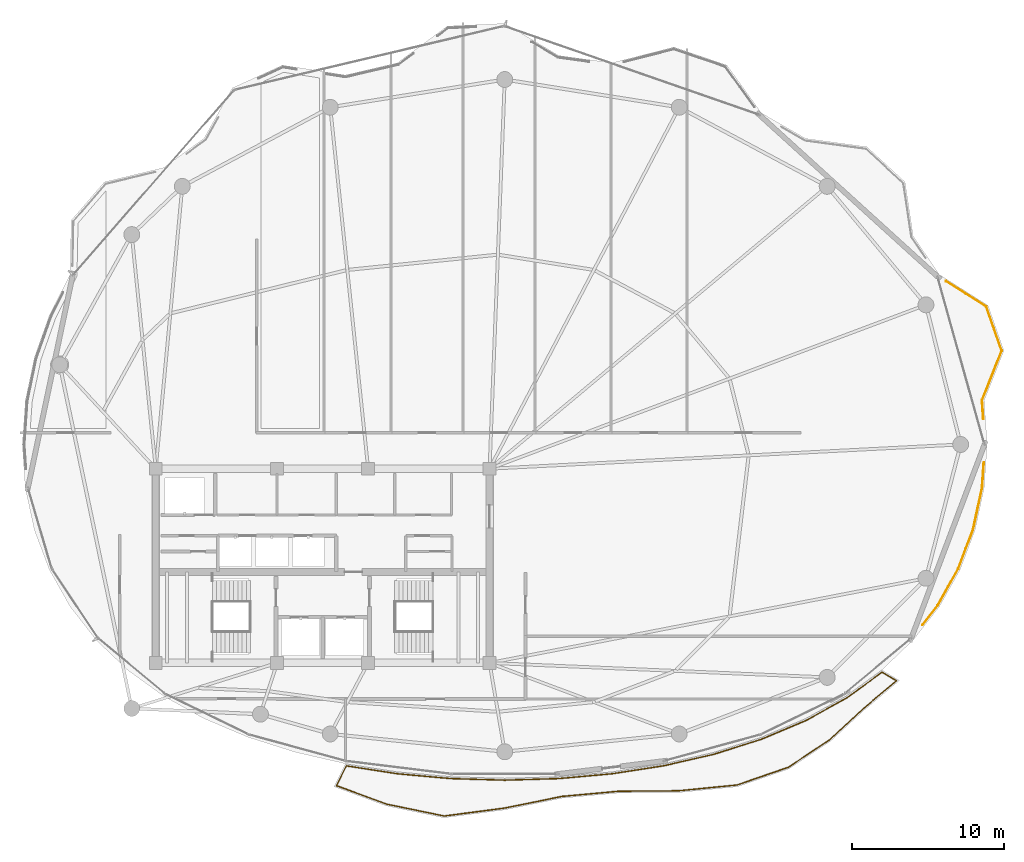
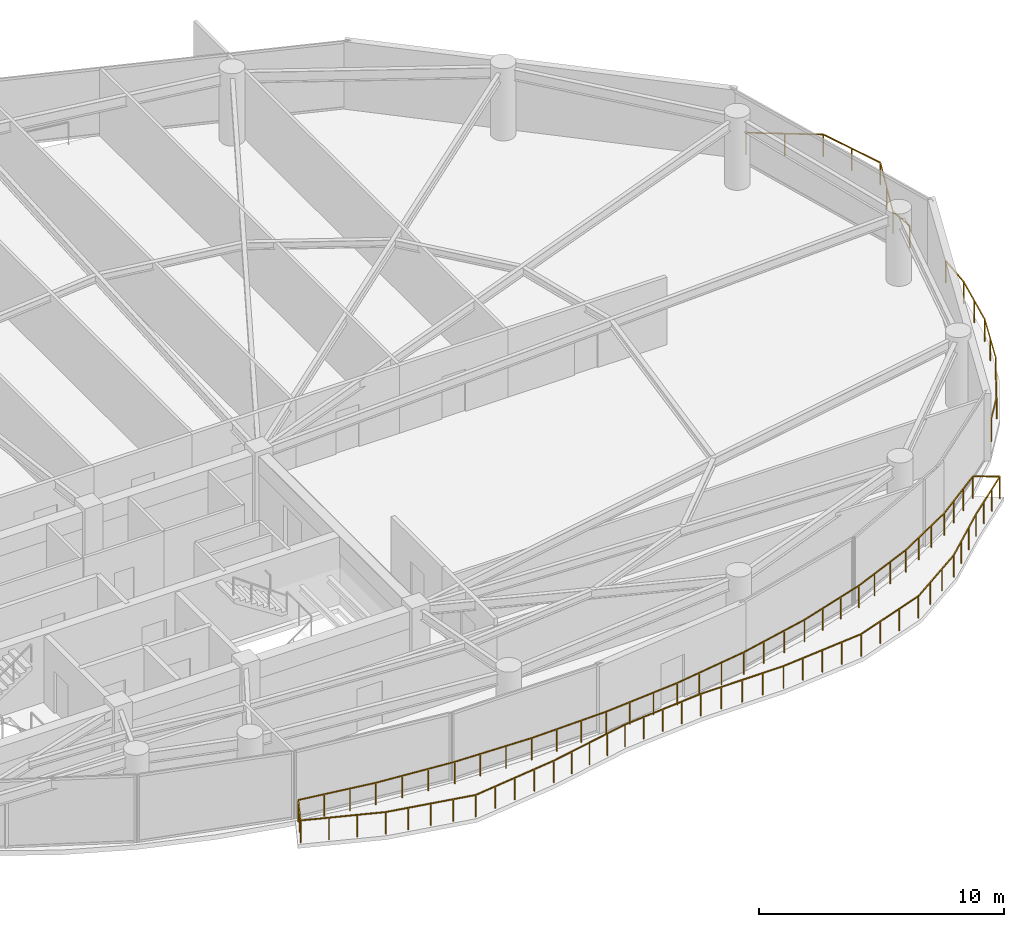
# One storey, part 27 of 28: 3 railings.
"""IFC4 building model written with IfcOpenShell, lengths in metres."""

import ifcopenshell
import ifcopenshell.guid

model = None  # the IFC model being written
_history = None  # IfcOwnerHistory: only IFC2X3 demands one
_inside = {}  # id of a spatial element -> (the spatial element, [elements in it])
_under = {}  # id of a project, library or spatial element -> (it, [spatial elements below it])
_declared = {}  # id of a project -> (the project, [libraries it declares])
_typed = {}  # id of a type object -> (the type object, [elements of that type])
_made_of = {}  # id of a material, layer set ... -> (it, [elements and type objects made of it])


def new_model(schema):
    """Start an empty IFC model of exactly this schema.

    Asked for "IFC4X3", IfcOpenShell would pick the latest addendum, in which some entities
    have other attributes; the version numbers below select the first issue.
    IFC2X3 requires an IfcOwnerHistory on every rooted entity: one is made here for all.
    """
    global model, _history
    if schema == "IFC4X3":
        model = ifcopenshell.file(schema_version=(4, 3, 0, 0))
    else:
        model = ifcopenshell.file(schema=schema)
    _inside.clear()
    _under.clear()
    _declared.clear()
    _typed.clear()
    _made_of.clear()
    _history = None
    if model.schema == "IFC2X3":
        org = make("IfcOrganization", Name="unknown")
        user = make(
            "IfcPersonAndOrganization",
            ThePerson=make("IfcPerson", FamilyName="unknown"),
            TheOrganization=org,
        )
        app = make(
            "IfcApplication",
            ApplicationDeveloper=org,
            Version="unknown",
            ApplicationFullName="unknown",
            ApplicationIdentifier="unknown",
        )
        _history = make(
            "IfcOwnerHistory",
            OwningUser=user,
            OwningApplication=app,
            ChangeAction="ADDED",
            CreationDate=0,
        )
    return model


def make(cls, **values):
    """One entity of the class cls with the attributes given. An attribute that is None is left unset."""
    return model.create_entity(
        cls, **{name: value for name, value in values.items() if value is not None}
    )


def rooted(cls, **values):
    """An entity with a GlobalId (a new one), such as an element, a storey or a relation."""
    return make(cls, GlobalId=ifcopenshell.guid.new(), OwnerHistory=_history, **values)


def si_unit(unit_type, name, prefix=None):
    """IfcSIUnit, for example si_unit("LENGTHUNIT", "METRE", prefix="MILLI")."""
    return make("IfcSIUnit", UnitType=unit_type, Prefix=prefix, Name=name)


def assignment(units):
    """IfcUnitAssignment: the units of a project."""
    return None if units is None else make("IfcUnitAssignment", Units=units)


def point(xyz):
    """IfcCartesianPoint."""
    return None if xyz is None else make("IfcCartesianPoint", Coordinates=xyz)


def direction(xyz):
    """IfcDirection."""
    return None if xyz is None else make("IfcDirection", DirectionRatios=xyz)


def frame(location, z_axis=None, x_axis=None):
    """IfcAxis2Placement3D, a coordinate frame: its origin and axes. An axis left out is left unset."""
    return make(
        "IfcAxis2Placement3D",
        Location=point(location),
        Axis=direction(z_axis),
        RefDirection=direction(x_axis),
    )


def frame_2d(location, x_axis=None):
    """IfcAxis2Placement2D, a coordinate frame in the plane: its origin and x axis."""
    return make(
        "IfcAxis2Placement2D", Location=point(location), RefDirection=direction(x_axis)
    )


def origin():
    """The frame at (0, 0, 0) with its axes left unset."""
    return frame((0.0, 0.0, 0.0))


def origin_2d():
    """The frame at (0, 0) in the plane with its x axis left unset."""
    return frame_2d((0.0, 0.0))


def place(relative_to, where):
    """IfcLocalPlacement: puts the frame where relative to a parent placement (None: the world)."""
    return make(
        "IfcLocalPlacement", PlacementRelTo=relative_to, RelativePlacement=where
    )


def context(
    kind, dimensions, precision=None, world=None, true_north=None, identifier=None
):
    """IfcGeometricRepresentationContext, for example the 3D "Model" context."""
    return make(
        "IfcGeometricRepresentationContext",
        ContextIdentifier=identifier,
        ContextType=kind,
        CoordinateSpaceDimension=dimensions,
        Precision=precision,
        WorldCoordinateSystem=world,
        TrueNorth=true_north,
    )


def subcontext(parent, identifier, kind, view, scale=None):
    """IfcGeometricRepresentationSubContext, for example "Body" below "Model"."""
    return make(
        "IfcGeometricRepresentationSubContext",
        ContextIdentifier=identifier,
        ContextType=kind,
        ParentContext=parent,
        TargetScale=scale,
        TargetView=view,
    )


def project(units=None, contexts=None):
    """IfcProject with its units and contexts."""
    return rooted(
        "IfcProject",
        Name="project",
        RepresentationContexts=contexts,
        UnitsInContext=assignment(units),
    )


def spatial(cls, under=None, at=None, **own):
    """A site, building, storey or space (cls), placed at a placement, below another one or the project."""
    s = rooted(cls, ObjectPlacement=at, **own)
    if under is not None:
        _under.setdefault(under.id(), (under, []))[1].append(s)
    return s


def profile(cls, at=None, kind="AREA", **sizes):
    """A parametric profile (cls). Its sizes go by their IFC names, for example OverallWidth=200.0."""
    return make(cls, ProfileType=kind, Position=at, **sizes)


def rectangle(**sizes):
    """IfcRectangleProfileDef."""
    return profile("IfcRectangleProfileDef", **sizes)


def extrude(swept, where, along, depth):
    """IfcExtrudedAreaSolid: the profile swept, set in the frame where, extruded along a direction by depth."""
    return make(
        "IfcExtrudedAreaSolid",
        SweptArea=swept,
        Position=where,
        ExtrudedDirection=direction(along),
        Depth=depth,
    )


def shape(context_of_items, identifier, shape_type, items):
    """IfcShapeRepresentation: the items that make up one representation, for example the "Body"."""
    return make(
        "IfcShapeRepresentation",
        ContextOfItems=context_of_items,
        RepresentationIdentifier=identifier,
        RepresentationType=shape_type,
        Items=items,
    )


def material(Name=None, Category=None):
    """IfcMaterial."""
    return make("IfcMaterial", Name=Name, Category=Category)


def made_of(thing, what):
    """Note that an element or type object is made of a material, layer set ...; save() writes the relation."""
    if what is not None:
        _made_of.setdefault(what.id(), (what, []))[1].append(thing)
    return thing


def type_object(cls, material=None, **own):
    """A type object (cls), such as IfcWallType, which elements share."""
    return made_of(rooted(cls, **own), material)


def element(
    cls,
    number,
    at=None,
    inside=None,
    cuts=None,
    type_object=None,
    material=None,
    context=None,
    identifier="Body",
    shape_type=None,
    held_by="IfcProductDefinitionShape",
    body=None,
    shapes=None,
    **own,
):
    """One element of the class cls, such as IfcWall. Its Tag is "e" and its number.

    at: its placement. inside: the storey or other place that contains it. cuts: it is an
    opening in that element (IfcRelVoidsElement). A single representation is given by context,
    identifier, shape_type and body (its items); several are given by shapes. held_by: the class
    of the entity that holds the representations. save() writes the other relations.
    """
    e = rooted(cls, Tag="e%d" % number, ObjectPlacement=at, **own)
    if body is not None:
        shapes = [shape(context, identifier, shape_type, body)]
    if shapes is not None:
        e.Representation = make(held_by, Representations=shapes)
    if inside is not None:
        _inside.setdefault(inside.id(), (inside, []))[1].append(e)
    if cuts is not None:
        rooted(
            "IfcRelVoidsElement", RelatingBuildingElement=cuts, RelatedOpeningElement=e
        )
    if type_object is not None:
        _typed.setdefault(type_object.id(), (type_object, []))[1].append(e)
    return made_of(e, material)


def aggregate(whole, parts):
    """IfcRelAggregates: a whole, such as a stair, and the parts it consists of."""
    return rooted("IfcRelAggregates", RelatingObject=whole, RelatedObjects=parts)


def save(model, path):
    """Write the relations noted so far, then the file.

    IfcRelAggregates (storeys below a building ...), IfcRelContainedInSpatialStructure (elements
    in a storey), IfcRelDefinesByType, IfcRelAssociatesMaterial and IfcRelDeclares: one each for
    every whole, place, type object, material and project.
    """
    for whole, parts in _under.values():
        aggregate(whole, parts)
    for where, things in _inside.values():
        rooted(
            "IfcRelContainedInSpatialStructure",
            RelatedElements=things,
            RelatingStructure=where,
        )
    for kind, things in _typed.values():
        rooted("IfcRelDefinesByType", RelatedObjects=things, RelatingType=kind)
    for what, things in _made_of.values():
        rooted("IfcRelAssociatesMaterial", RelatedObjects=things, RelatingMaterial=what)
    for by, libraries in _declared.values():
        rooted("IfcRelDeclares", RelatingContext=by, RelatedDefinitions=libraries)
    model.write(path)


model = new_model("IFC4")

# Units and contexts
model_context = context("Model", 3, precision=1e-05, world=origin(), true_north=direction((0.0, 1.0)))
body_context = subcontext(model_context, "Body", "Model", "MODEL_VIEW")
ifc_project = project(units=[si_unit("LENGTHUNIT", "METRE"), si_unit("AREAUNIT", "SQUARE_METRE"), si_unit("VOLUMEUNIT", "CUBIC_METRE"), si_unit("PLANEANGLEUNIT", "RADIAN"), si_unit("MASSUNIT", "GRAM", prefix="KILO")], contexts=[model_context])

# Site, building, storey
site_placement = place(None, origin())
site = spatial("IfcSite", under=ifc_project, at=site_placement, CompositionType="ELEMENT")
building_placement = place(site_placement, origin())
building = spatial("IfcBuilding", under=site, at=building_placement, Name="Kazevale Care Tower and Concert Hall", CompositionType="ELEMENT")
storey_placement = place(building_placement, frame((0.0, 0.0, 246.0)))
storey = spatial("IfcBuildingStorey", under=building, at=storey_placement, Name="L65", CompositionType="ELEMENT", Elevation=246.0)

# Railings
ifc_material = material(Name="Anodised Bronze Aluminium and Laminated Glass", Category="aluminium")
railing_type = type_object("IfcRailingType", Name="Balcony and Terrace Balustrade 1120", PredefinedType="BALUSTRADE", material=ifc_material)
railing_1_placement = place(storey_placement, frame((76.576904296875, 36.81103515625, 0.0)))
element("IfcRailing", 1, at=railing_1_placement, inside=storey, type_object=railing_type, Name="rail:L65:perim:10", PredefinedType="BALUSTRADE", context=body_context, shape_type="SweptSolid", body=[
    extrude(rectangle(XDim=0.048095703125, YDim=0.048095703125, at=origin_2d()), frame((0.0, 0.0, 1.09619140625), z_axis=(-0.069683140934, -0.997569175481, 0.0), x_axis=(0.997569175481, -0.069683140934, 0.0)), (0.0, 0.0, 1.0), 1.664306640625),
    extrude(rectangle(XDim=0.048095703125, YDim=0.048095703125, at=origin_2d()), frame((-0.115966796875, -1.66015625, 1.09619140625), z_axis=(-0.210886672564, -0.97751051725, 0.0), x_axis=(0.97751051725, -0.210886672564, 0.0)), (0.0, 0.0, 1.0), 2.81201171875),
    extrude(rectangle(XDim=0.048095703125, YDim=0.048095703125, at=origin_2d()), frame((-0.708984375, -4.408935546875, 1.09619140625), z_axis=(-0.352914941795, -0.935655408715, 0.0), x_axis=(0.935655408715, -0.352914941795, 0.0)), (0.0, 0.0, 1.0), 2.77685546875),
    extrude(rectangle(XDim=0.048095703125, YDim=0.048095703125, at=origin_2d()), frame((-1.68896484375, -7.007080078125, 1.09619140625), z_axis=(-0.490131162051, -0.871648692987, 0.0), x_axis=(0.871648692987, -0.490131162051, 0.0)), (0.0, 0.0, 1.0), 2.762451171875),
    extrude(rectangle(XDim=0.048095703125, YDim=0.048095703125, at=origin_2d()), frame((-3.04296875, -9.4150390625, 1.09619140625), z_axis=(-0.615507243123, -0.788131228707, 0.0), x_axis=(0.788131228707, -0.615507243123, 0.0)), (0.0, 0.0, 1.0), 1.6279296875),
    extrude(rectangle(XDim=0.0419921875, YDim=0.0419921875, at=origin_2d()), origin(), (0.0, 0.0, 1.0), 1.072021484375),
    extrude(rectangle(XDim=0.0419921875, YDim=0.0419921875, at=origin_2d()), frame((-0.115966796875, -1.66015625, 0.0)), (0.0, 0.0, 1.0), 1.072021484375),
    extrude(rectangle(XDim=0.0419921875, YDim=0.0419921875, at=origin_2d()), frame((-0.41259765625, -3.03466796875, 0.0)), (0.0, 0.0, 1.0), 1.072021484375),
    extrude(rectangle(XDim=0.0419921875, YDim=0.0419921875, at=origin_2d()), frame((-0.708984375, -4.408935546875, 0.0)), (0.0, 0.0, 1.0), 1.072021484375),
    extrude(rectangle(XDim=0.0419921875, YDim=0.0419921875, at=origin_2d()), frame((-1.198974609375, -5.7080078125, 0.0)), (0.0, 0.0, 1.0), 1.072021484375),
    extrude(rectangle(XDim=0.0419921875, YDim=0.0419921875, at=origin_2d()), frame((-1.68896484375, -7.007080078125, 0.0)), (0.0, 0.0, 1.0), 1.072021484375),
    extrude(rectangle(XDim=0.0419921875, YDim=0.0419921875, at=origin_2d()), frame((-2.365966796875, -8.2109375, 0.0)), (0.0, 0.0, 1.0), 1.072021484375),
    extrude(rectangle(XDim=0.0419921875, YDim=0.0419921875, at=origin_2d()), frame((-3.04296875, -9.4150390625, 0.0)), (0.0, 0.0, 1.0), 1.072021484375),
    extrude(rectangle(XDim=0.0419921875, YDim=0.0419921875, at=origin_2d()), frame((-4.044921875, -10.697998046875, 0.0)), (0.0, 0.0, 1.0), 1.072021484375),
])
railing_2_placement = place(storey_placement, frame((74.073974609375, 48.760009765625, 0.0)))
element("IfcRailing", 2, at=railing_2_placement, inside=storey, type_object=railing_type, Name="rail:L65:perim:11", PredefinedType="BALUSTRADE", context=body_context, shape_type="SweptSolid", body=[
    extrude(rectangle(XDim=0.048095703125, YDim=0.048095703125, at=origin_2d()), frame((0.0, 0.0, 1.09619140625), z_axis=(0.845028885188, -0.534720659034, 0.0), x_axis=(0.534720659034, 0.845028885188, 0.0)), (0.0, 0.0, 1.0), 3.155029296875),
    extrude(rectangle(XDim=0.048095703125, YDim=0.048095703125, at=origin_2d()), frame((2.666015625, -1.68701171875, 1.09619140625), z_axis=(0.330541862018, -0.943791331521, 0.0), x_axis=(0.943791331521, 0.330541862018, 0.0)), (0.0, 0.0, 1.0), 3.0673828125),
    extrude(rectangle(XDim=0.048095703125, YDim=0.048095703125, at=origin_2d()), frame((3.679931640625, -4.58203125, 1.09619140625), z_axis=(-0.368706440166, -0.929545889658, 0.0), x_axis=(0.929545889658, -0.368706440166, 0.0)), (0.0, 0.0, 1.0), 3.5146484375),
    extrude(rectangle(XDim=0.048095703125, YDim=0.048095703125, at=origin_2d()), frame((2.384033203125, -7.84912109375, 1.09619140625), z_axis=(0.069088253147, -0.997610551907, 0.0), x_axis=(0.997610551907, 0.069088253147, 0.0)), (0.0, 0.0, 1.0), 1.229736328125),
    extrude(rectangle(XDim=0.0419921875, YDim=0.0419921875, at=origin_2d()), origin(), (0.0, 0.0, 1.0), 1.072021484375),
    extrude(rectangle(XDim=0.0419921875, YDim=0.0419921875, at=origin_2d()), frame((1.3330078125, -0.843505859375, 0.0)), (0.0, 0.0, 1.0), 1.072021484375),
    extrude(rectangle(XDim=0.0419921875, YDim=0.0419921875, at=origin_2d()), frame((2.666015625, -1.68701171875, 0.0)), (0.0, 0.0, 1.0), 1.072021484375),
    extrude(rectangle(XDim=0.0419921875, YDim=0.0419921875, at=origin_2d()), frame((3.1728515625, -3.134521484375, 0.0)), (0.0, 0.0, 1.0), 1.072021484375),
    extrude(rectangle(XDim=0.0419921875, YDim=0.0419921875, at=origin_2d()), frame((3.679931640625, -4.58203125, 0.0)), (0.0, 0.0, 1.0), 1.072021484375),
    extrude(rectangle(XDim=0.0419921875, YDim=0.0419921875, at=origin_2d()), frame((3.031982421875, -6.215576171875, 0.0)), (0.0, 0.0, 1.0), 1.072021484375),
    extrude(rectangle(XDim=0.0419921875, YDim=0.0419921875, at=origin_2d()), frame((2.384033203125, -7.84912109375, 0.0)), (0.0, 0.0, 1.0), 1.072021484375),
    extrude(rectangle(XDim=0.0419921875, YDim=0.0419921875, at=origin_2d()), frame((2.468994140625, -9.075927734375, 0.0)), (0.0, 0.0, 1.0), 1.072021484375),
])
railing_3_placement = place(storey_placement, frame((34.56298828125, 16.819091796875, 0.0)))
element("IfcRailing", 3, at=railing_3_placement, inside=storey, type_object=railing_type, Name="rail:L65:balcony", PredefinedType="BALUSTRADE", context=body_context, shape_type="SweptSolid", body=[
    extrude(rectangle(XDim=0.048095703125, YDim=0.048095703125, at=origin_2d()), frame((0.0, 0.0, 1.09619140625), z_axis=(0.988093340761, -0.15385561395, 0.0), x_axis=(0.15385561395, 0.988093340761, 0.0)), (0.0, 0.0, 1.0), 3.38623046875),
    extrude(rectangle(XDim=0.048095703125, YDim=0.048095703125, at=origin_2d()), frame((3.345947265625, -0.52099609375, 1.09619140625), z_axis=(0.995947899496, -0.089932093766, 0.0), x_axis=(0.089932093766, 0.995947899496, 0.0)), (0.0, 0.0, 1.0), 3.537353515625),
    extrude(rectangle(XDim=0.048095703125, YDim=0.048095703125, at=origin_2d()), frame((6.868896484375, -0.839111328125, 1.09619140625), z_axis=(0.999567458851, -0.029409100739, 0.0), x_axis=(0.029409100739, 0.999567458851, 0.0)), (0.0, 0.0, 1.0), 3.569580078125),
    extrude(rectangle(XDim=0.048095703125, YDim=0.048095703125, at=origin_2d()), frame((10.43701171875, -0.944091796875, 1.09619140625), z_axis=(0.999567458851, 0.029409100739, 0.0), x_axis=(-0.029409100739, 0.999567458851, 0.0)), (0.0, 0.0, 1.0), 3.569580078125),
    extrude(rectangle(XDim=0.048095703125, YDim=0.048095703125, at=origin_2d()), frame((14.005126953125, -0.839111328125, 1.09619140625), z_axis=(0.995947899496, 0.089932093766, 0.0), x_axis=(-0.089932093766, 0.995947899496, 0.0)), (0.0, 0.0, 1.0), 3.537353515625),
    extrude(rectangle(XDim=0.048095703125, YDim=0.048095703125, at=origin_2d()), frame((17.528076171875, -0.52099609375, 1.09619140625), z_axis=(0.988098216207, 0.153824299539, 0.0), x_axis=(-0.153824299539, 0.988098216207, 0.0)), (0.0, 0.0, 1.0), 3.4775390625),
    extrude(rectangle(XDim=0.048095703125, YDim=0.048095703125, at=origin_2d()), frame((20.964111328125, 0.013916015625, 1.09619140625), z_axis=(0.974534254558, 0.224238682418, 0.0), x_axis=(-0.224238682418, 0.974534254558, 0.0)), (0.0, 0.0, 1.0), 3.389404296875),
    extrude(rectangle(XDim=0.048095703125, YDim=0.048095703125, at=origin_2d()), frame((24.26708984375, 0.77392578125, 1.09619140625), z_axis=(0.953239514235, 0.302215864078, 0.0), x_axis=(-0.302215864078, 0.953239514235, 0.0)), (0.0, 0.0, 1.0), 3.285400390625),
    extrude(rectangle(XDim=0.048095703125, YDim=0.048095703125, at=origin_2d()), frame((27.39892578125, 1.766845703125, 1.09619140625), z_axis=(0.921006567992, 0.389547046858, 0.0), x_axis=(-0.389547046858, 0.921006567992, 0.0)), (0.0, 0.0, 1.0), 3.170654296875),
    extrude(rectangle(XDim=0.048095703125, YDim=0.048095703125, at=origin_2d()), frame((30.319091796875, 3.001953125, 1.09619140625), z_axis=(0.874149737903, 0.485656499724, 0.0), x_axis=(-0.485656499724, 0.874149737903, 0.0)), (0.0, 0.0, 1.0), 3.055419921875),
    extrude(rectangle(XDim=0.048095703125, YDim=0.048095703125, at=origin_2d()), frame((32.989990234375, 4.48583984375, 1.09619140625), z_axis=(0.809111467971, 0.587655198562, 0.0), x_axis=(-0.587655198562, 0.809111467971, 0.0)), (0.0, 0.0, 1.0), 2.867431640625),
    extrude(rectangle(XDim=0.048095703125, YDim=0.048095703125, at=origin_2d()), frame((35.31005859375, 6.1708984375, 1.09619140625), z_axis=(0.858355490947, -0.513055407497, 0.0), x_axis=(0.513055407497, 0.858355490947, 0.0)), (0.0, 0.0, 1.0), 1.097412109375),
    extrude(rectangle(XDim=0.048095703125, YDim=0.048095703125, at=origin_2d()), frame((36.251953125, 5.60791015625, 1.09619140625), z_axis=(-0.765382237853, -0.643575970635, 0.0), x_axis=(0.643575970635, -0.765382237853, 0.0)), (0.0, 0.0, 1.0), 2.84814453125),
    extrude(rectangle(XDim=0.048095703125, YDim=0.048095703125, at=origin_2d()), frame((34.072021484375, 3.77490234375, 1.09619140625), z_axis=(-0.734809593591, -0.678273441296, 0.0), x_axis=(0.678273441296, -0.734809593591, 0.0)), (0.0, 0.0, 1.0), 3.04443359375),
    extrude(rectangle(XDim=0.048095703125, YDim=0.048095703125, at=origin_2d()), frame((31.8349609375, 1.7099609375, 1.09619140625), z_axis=(-0.832223601123, -0.554440148018, 0.0), x_axis=(0.554440148018, -0.832223601123, 0.0)), (0.0, 0.0, 1.0), 3.250244140625),
    extrude(rectangle(XDim=0.048095703125, YDim=0.048095703125, at=origin_2d()), frame((29.130126953125, -0.092041015625, 1.09619140625), z_axis=(-0.944927546461, -0.327279592915, 0.0), x_axis=(0.327279592915, -0.944927546461, 0.0)), (0.0, 0.0, 1.0), 3.57177734375),
    extrude(rectangle(XDim=0.048095703125, YDim=0.048095703125, at=origin_2d()), frame((25.755126953125, -1.260986328125, 1.09619140625), z_axis=(-0.995092942124, -0.098944613476, 0.0), x_axis=(0.098944613476, -0.995092942124, 0.0)), (0.0, 0.0, 1.0), 3.89111328125),
    extrude(rectangle(XDim=0.048095703125, YDim=0.048095703125, at=origin_2d()), frame((21.883056640625, -1.64599609375, 1.09619140625), z_axis=(-0.99997777298, -0.006667349309, 0.0), x_axis=(0.006667349309, -0.99997777298, 0.0)), (0.0, 0.0, 1.0), 3.91796875),
    extrude(rectangle(XDim=0.048095703125, YDim=0.048095703125, at=origin_2d()), frame((17.965087890625, -1.672119140625, 1.09619140625), z_axis=(-0.99587513771, -0.090734282886, 0.0), x_axis=(0.090734282886, -0.99587513771, 0.0)), (0.0, 0.0, 1.0), 3.769775390625),
    extrude(rectangle(XDim=0.048095703125, YDim=0.048095703125, at=origin_2d()), frame((14.2109375, -2.01416015625, 1.09619140625), z_axis=(-0.979871067121, -0.199631389865, 0.0), x_axis=(0.199631389865, -0.979871067121, 0.0)), (0.0, 0.0, 1.0), 3.871826171875),
    extrude(rectangle(XDim=0.048095703125, YDim=0.048095703125, at=origin_2d()), frame((10.4169921875, -2.787109375, 1.09619140625), z_axis=(-0.991590904465, -0.12941204806, 0.0), x_axis=(0.12941204806, -0.991590904465, 0.0)), (0.0, 0.0, 1.0), 4.0107421875),
    extrude(rectangle(XDim=0.048095703125, YDim=0.048095703125, at=origin_2d()), frame((6.43994140625, -3.30615234375, 1.09619140625), z_axis=(-0.979336041778, 0.202239751962, 0.0), x_axis=(-0.202239751962, -0.979336041778, 0.0)), (0.0, 0.0, 1.0), 3.86181640625),
    extrude(rectangle(XDim=0.048095703125, YDim=0.048095703125, at=origin_2d()), frame((2.657958984375, -2.525146484375, 1.09619140625), z_axis=(-0.938478951026, 0.345336442445, 0.0), x_axis=(-0.345336442445, -0.938478951026, 0.0)), (0.0, 0.0, 1.0), 3.527099609375),
    extrude(rectangle(XDim=0.048095703125, YDim=0.048095703125, at=origin_2d()), frame((-0.652099609375, -1.30712890625, 1.09619140625), z_axis=(0.446411179125, 0.89482794947, 0.0), x_axis=(-0.89482794947, 0.446411179125, 0.0)), (0.0, 0.0, 1.0), 1.460693359375),
    extrude(rectangle(XDim=0.0419921875, YDim=0.0419921875, at=origin_2d()), origin(), (0.0, 0.0, 1.0), 1.072021484375),
    extrude(rectangle(XDim=0.0419921875, YDim=0.0419921875, at=origin_2d()), frame((1.115234375, -0.173583984375, 0.0)), (0.0, 0.0, 1.0), 1.072021484375),
    extrude(rectangle(XDim=0.0419921875, YDim=0.0419921875, at=origin_2d()), frame((2.230712890625, -0.347412109375, 0.0)), (0.0, 0.0, 1.0), 1.072021484375),
    extrude(rectangle(XDim=0.0419921875, YDim=0.0419921875, at=origin_2d()), frame((3.345947265625, -0.52099609375, 0.0)), (0.0, 0.0, 1.0), 1.072021484375),
    extrude(rectangle(XDim=0.0419921875, YDim=0.0419921875, at=origin_2d()), frame((4.520263671875, -0.626953125, 0.0)), (0.0, 0.0, 1.0), 1.072021484375),
    extrude(rectangle(XDim=0.0419921875, YDim=0.0419921875, at=origin_2d()), frame((5.694580078125, -0.733154296875, 0.0)), (0.0, 0.0, 1.0), 1.072021484375),
    extrude(rectangle(XDim=0.0419921875, YDim=0.0419921875, at=origin_2d()), frame((6.868896484375, -0.839111328125, 0.0)), (0.0, 0.0, 1.0), 1.072021484375),
    extrude(rectangle(XDim=0.0419921875, YDim=0.0419921875, at=origin_2d()), frame((8.058349609375, -0.8740234375, 0.0)), (0.0, 0.0, 1.0), 1.072021484375),
    extrude(rectangle(XDim=0.0419921875, YDim=0.0419921875, at=origin_2d()), frame((9.24755859375, -0.9091796875, 0.0)), (0.0, 0.0, 1.0), 1.072021484375),
    extrude(rectangle(XDim=0.0419921875, YDim=0.0419921875, at=origin_2d()), frame((10.43701171875, -0.944091796875, 0.0)), (0.0, 0.0, 1.0), 1.072021484375),
    extrude(rectangle(XDim=0.0419921875, YDim=0.0419921875, at=origin_2d()), frame((11.62646484375, -0.9091796875, 0.0)), (0.0, 0.0, 1.0), 1.072021484375),
    extrude(rectangle(XDim=0.0419921875, YDim=0.0419921875, at=origin_2d()), frame((12.815673828125, -0.8740234375, 0.0)), (0.0, 0.0, 1.0), 1.072021484375),
    extrude(rectangle(XDim=0.0419921875, YDim=0.0419921875, at=origin_2d()), frame((14.005126953125, -0.839111328125, 0.0)), (0.0, 0.0, 1.0), 1.072021484375),
    extrude(rectangle(XDim=0.0419921875, YDim=0.0419921875, at=origin_2d()), frame((15.179443359375, -0.733154296875, 0.0)), (0.0, 0.0, 1.0), 1.072021484375),
    extrude(rectangle(XDim=0.0419921875, YDim=0.0419921875, at=origin_2d()), frame((16.353759765625, -0.626953125, 0.0)), (0.0, 0.0, 1.0), 1.072021484375),
    extrude(rectangle(XDim=0.0419921875, YDim=0.0419921875, at=origin_2d()), frame((17.528076171875, -0.52099609375, 0.0)), (0.0, 0.0, 1.0), 1.072021484375),
    extrude(rectangle(XDim=0.0419921875, YDim=0.0419921875, at=origin_2d()), frame((18.67333984375, -0.3427734375, 0.0)), (0.0, 0.0, 1.0), 1.072021484375),
    extrude(rectangle(XDim=0.0419921875, YDim=0.0419921875, at=origin_2d()), frame((19.81884765625, -0.164306640625, 0.0)), (0.0, 0.0, 1.0), 1.072021484375),
    extrude(rectangle(XDim=0.0419921875, YDim=0.0419921875, at=origin_2d()), frame((20.964111328125, 0.013916015625, 0.0)), (0.0, 0.0, 1.0), 1.072021484375),
    extrude(rectangle(XDim=0.0419921875, YDim=0.0419921875, at=origin_2d()), frame((22.065185546875, 0.267333984375, 0.0)), (0.0, 0.0, 1.0), 1.072021484375),
    extrude(rectangle(XDim=0.0419921875, YDim=0.0419921875, at=origin_2d()), frame((23.166015625, 0.5205078125, 0.0)), (0.0, 0.0, 1.0), 1.072021484375),
    extrude(rectangle(XDim=0.0419921875, YDim=0.0419921875, at=origin_2d()), frame((24.26708984375, 0.77392578125, 0.0)), (0.0, 0.0, 1.0), 1.072021484375),
    extrude(rectangle(XDim=0.0419921875, YDim=0.0419921875, at=origin_2d()), frame((25.31103515625, 1.10498046875, 0.0)), (0.0, 0.0, 1.0), 1.072021484375),
    extrude(rectangle(XDim=0.0419921875, YDim=0.0419921875, at=origin_2d()), frame((26.35498046875, 1.435791015625, 0.0)), (0.0, 0.0, 1.0), 1.072021484375),
    extrude(rectangle(XDim=0.0419921875, YDim=0.0419921875, at=origin_2d()), frame((27.39892578125, 1.766845703125, 0.0)), (0.0, 0.0, 1.0), 1.072021484375),
    extrude(rectangle(XDim=0.0419921875, YDim=0.0419921875, at=origin_2d()), frame((28.372314453125, 2.178466796875, 0.0)), (0.0, 0.0, 1.0), 1.072021484375),
    extrude(rectangle(XDim=0.0419921875, YDim=0.0419921875, at=origin_2d()), frame((29.345703125, 2.59033203125, 0.0)), (0.0, 0.0, 1.0), 1.072021484375),
    extrude(rectangle(XDim=0.0419921875, YDim=0.0419921875, at=origin_2d()), frame((30.319091796875, 3.001953125, 0.0)), (0.0, 0.0, 1.0), 1.072021484375),
    extrude(rectangle(XDim=0.0419921875, YDim=0.0419921875, at=origin_2d()), frame((31.20947265625, 3.49658203125, 0.0)), (0.0, 0.0, 1.0), 1.072021484375),
    extrude(rectangle(XDim=0.0419921875, YDim=0.0419921875, at=origin_2d()), frame((32.099609375, 3.9912109375, 0.0)), (0.0, 0.0, 1.0), 1.072021484375),
    extrude(rectangle(XDim=0.0419921875, YDim=0.0419921875, at=origin_2d()), frame((32.989990234375, 4.48583984375, 0.0)), (0.0, 0.0, 1.0), 1.072021484375),
    extrude(rectangle(XDim=0.0419921875, YDim=0.0419921875, at=origin_2d()), frame((33.763427734375, 5.047607421875, 0.0)), (0.0, 0.0, 1.0), 1.072021484375),
    extrude(rectangle(XDim=0.0419921875, YDim=0.0419921875, at=origin_2d()), frame((34.53662109375, 5.609130859375, 0.0)), (0.0, 0.0, 1.0), 1.072021484375),
    extrude(rectangle(XDim=0.0419921875, YDim=0.0419921875, at=origin_2d()), frame((35.31005859375, 6.1708984375, 0.0)), (0.0, 0.0, 1.0), 1.072021484375),
    extrude(rectangle(XDim=0.0419921875, YDim=0.0419921875, at=origin_2d()), frame((36.251953125, 5.60791015625, 0.0)), (0.0, 0.0, 1.0), 1.072021484375),
    extrude(rectangle(XDim=0.0419921875, YDim=0.0419921875, at=origin_2d()), frame((35.525390625, 4.996826171875, 0.0)), (0.0, 0.0, 1.0), 1.072021484375),
    extrude(rectangle(XDim=0.0419921875, YDim=0.0419921875, at=origin_2d()), frame((34.798583984375, 4.385986328125, 0.0)), (0.0, 0.0, 1.0), 1.072021484375),
    extrude(rectangle(XDim=0.0419921875, YDim=0.0419921875, at=origin_2d()), frame((34.072021484375, 3.77490234375, 0.0)), (0.0, 0.0, 1.0), 1.072021484375),
    extrude(rectangle(XDim=0.0419921875, YDim=0.0419921875, at=origin_2d()), frame((33.326416015625, 3.086669921875, 0.0)), (0.0, 0.0, 1.0), 1.072021484375),
    extrude(rectangle(XDim=0.0419921875, YDim=0.0419921875, at=origin_2d()), frame((32.58056640625, 2.398193359375, 0.0)), (0.0, 0.0, 1.0), 1.072021484375),
    extrude(rectangle(XDim=0.0419921875, YDim=0.0419921875, at=origin_2d()), frame((31.8349609375, 1.7099609375, 0.0)), (0.0, 0.0, 1.0), 1.072021484375),
    extrude(rectangle(XDim=0.0419921875, YDim=0.0419921875, at=origin_2d()), frame((30.933349609375, 1.109375, 0.0)), (0.0, 0.0, 1.0), 1.072021484375),
    extrude(rectangle(XDim=0.0419921875, YDim=0.0419921875, at=origin_2d()), frame((30.03173828125, 0.508544921875, 0.0)), (0.0, 0.0, 1.0), 1.072021484375),
    extrude(rectangle(XDim=0.0419921875, YDim=0.0419921875, at=origin_2d()), frame((29.130126953125, -0.092041015625, 0.0)), (0.0, 0.0, 1.0), 1.072021484375),
    extrude(rectangle(XDim=0.0419921875, YDim=0.0419921875, at=origin_2d()), frame((28.005126953125, -0.481689453125, 0.0)), (0.0, 0.0, 1.0), 1.072021484375),
    extrude(rectangle(XDim=0.0419921875, YDim=0.0419921875, at=origin_2d()), frame((26.880126953125, -0.871337890625, 0.0)), (0.0, 0.0, 1.0), 1.072021484375),
    extrude(rectangle(XDim=0.0419921875, YDim=0.0419921875, at=origin_2d()), frame((25.755126953125, -1.260986328125, 0.0)), (0.0, 0.0, 1.0), 1.072021484375),
    extrude(rectangle(XDim=0.0419921875, YDim=0.0419921875, at=origin_2d()), frame((24.787109375, -1.357177734375, 0.0)), (0.0, 0.0, 1.0), 1.072021484375),
    extrude(rectangle(XDim=0.0419921875, YDim=0.0419921875, at=origin_2d()), frame((23.819091796875, -1.45361328125, 0.0)), (0.0, 0.0, 1.0), 1.072021484375),
    extrude(rectangle(XDim=0.0419921875, YDim=0.0419921875, at=origin_2d()), frame((22.85107421875, -1.5498046875, 0.0)), (0.0, 0.0, 1.0), 1.072021484375),
    extrude(rectangle(XDim=0.0419921875, YDim=0.0419921875, at=origin_2d()), frame((21.883056640625, -1.64599609375, 0.0)), (0.0, 0.0, 1.0), 1.072021484375),
    extrude(rectangle(XDim=0.0419921875, YDim=0.0419921875, at=origin_2d()), frame((20.903564453125, -1.652587890625, 0.0)), (0.0, 0.0, 1.0), 1.072021484375),
    extrude(rectangle(XDim=0.0419921875, YDim=0.0419921875, at=origin_2d()), frame((19.924072265625, -1.6591796875, 0.0)), (0.0, 0.0, 1.0), 1.072021484375),
    extrude(rectangle(XDim=0.0419921875, YDim=0.0419921875, at=origin_2d()), frame((18.944580078125, -1.66552734375, 0.0)), (0.0, 0.0, 1.0), 1.072021484375),
    extrude(rectangle(XDim=0.0419921875, YDim=0.0419921875, at=origin_2d()), frame((17.965087890625, -1.672119140625, 0.0)), (0.0, 0.0, 1.0), 1.072021484375),
    extrude(rectangle(XDim=0.0419921875, YDim=0.0419921875, at=origin_2d()), frame((17.026611328125, -1.757568359375, 0.0)), (0.0, 0.0, 1.0), 1.072021484375),
    extrude(rectangle(XDim=0.0419921875, YDim=0.0419921875, at=origin_2d()), frame((16.087890625, -1.84326171875, 0.0)), (0.0, 0.0, 1.0), 1.072021484375),
    extrude(rectangle(XDim=0.0419921875, YDim=0.0419921875, at=origin_2d()), frame((15.1494140625, -1.9287109375, 0.0)), (0.0, 0.0, 1.0), 1.072021484375),
    extrude(rectangle(XDim=0.0419921875, YDim=0.0419921875, at=origin_2d()), frame((14.2109375, -2.01416015625, 0.0)), (0.0, 0.0, 1.0), 1.072021484375),
    extrude(rectangle(XDim=0.0419921875, YDim=0.0419921875, at=origin_2d()), frame((13.262451171875, -2.20751953125, 0.0)), (0.0, 0.0, 1.0), 1.072021484375),
    extrude(rectangle(XDim=0.0419921875, YDim=0.0419921875, at=origin_2d()), frame((12.31396484375, -2.400634765625, 0.0)), (0.0, 0.0, 1.0), 1.072021484375),
    extrude(rectangle(XDim=0.0419921875, YDim=0.0419921875, at=origin_2d()), frame((11.365478515625, -2.59375, 0.0)), (0.0, 0.0, 1.0), 1.072021484375),
    extrude(rectangle(XDim=0.0419921875, YDim=0.0419921875, at=origin_2d()), frame((10.4169921875, -2.787109375, 0.0)), (0.0, 0.0, 1.0), 1.072021484375),
    extrude(rectangle(XDim=0.0419921875, YDim=0.0419921875, at=origin_2d()), frame((9.4228515625, -2.9169921875, 0.0)), (0.0, 0.0, 1.0), 1.072021484375),
    extrude(rectangle(XDim=0.0419921875, YDim=0.0419921875, at=origin_2d()), frame((8.428466796875, -3.046630859375, 0.0)), (0.0, 0.0, 1.0), 1.072021484375),
    extrude(rectangle(XDim=0.0419921875, YDim=0.0419921875, at=origin_2d()), frame((7.43408203125, -3.17626953125, 0.0)), (0.0, 0.0, 1.0), 1.072021484375),
    extrude(rectangle(XDim=0.0419921875, YDim=0.0419921875, at=origin_2d()), frame((6.43994140625, -3.30615234375, 0.0)), (0.0, 0.0, 1.0), 1.072021484375),
    extrude(rectangle(XDim=0.0419921875, YDim=0.0419921875, at=origin_2d()), frame((5.494384765625, -3.11083984375, 0.0)), (0.0, 0.0, 1.0), 1.072021484375),
    extrude(rectangle(XDim=0.0419921875, YDim=0.0419921875, at=origin_2d()), frame((4.548828125, -2.91552734375, 0.0)), (0.0, 0.0, 1.0), 1.072021484375),
    extrude(rectangle(XDim=0.0419921875, YDim=0.0419921875, at=origin_2d()), frame((3.603515625, -2.720458984375, 0.0)), (0.0, 0.0, 1.0), 1.072021484375),
    extrude(rectangle(XDim=0.0419921875, YDim=0.0419921875, at=origin_2d()), frame((2.657958984375, -2.525146484375, 0.0)), (0.0, 0.0, 1.0), 1.072021484375),
    extrude(rectangle(XDim=0.0419921875, YDim=0.0419921875, at=origin_2d()), frame((1.5546875, -2.119140625, 0.0)), (0.0, 0.0, 1.0), 1.072021484375),
    extrude(rectangle(XDim=0.0419921875, YDim=0.0419921875, at=origin_2d()), frame((0.451171875, -1.713134765625, 0.0)), (0.0, 0.0, 1.0), 1.072021484375),
    extrude(rectangle(XDim=0.0419921875, YDim=0.0419921875, at=origin_2d()), frame((-0.652099609375, -1.30712890625, 0.0)), (0.0, 0.0, 1.0), 1.072021484375),
    extrude(rectangle(XDim=0.0419921875, YDim=0.0419921875, at=origin_2d()), frame((-0.326171875, -0.653564453125, 0.0)), (0.0, 0.0, 1.0), 1.072021484375),
])

save(model, "model.ifc")
